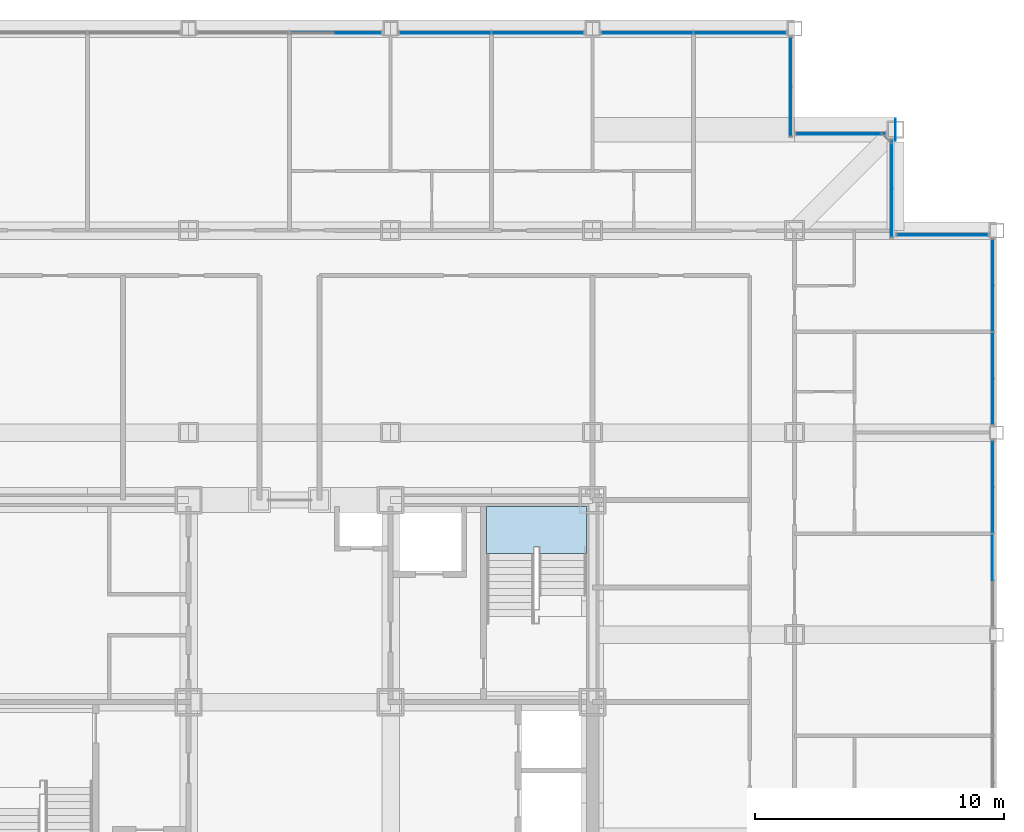
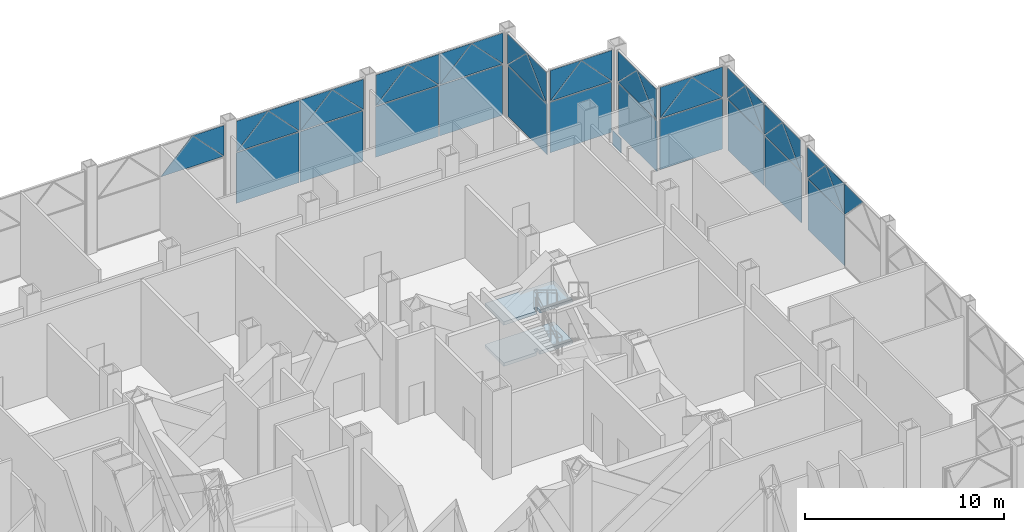
# One storey, part 16 of 29: 48 plates, 2 slabs, 10 elements without a shape of their own.
"""IFC4 building model written with IfcOpenShell, lengths in metres."""

from ifc_helpers import new_model, si_unit, direction, frame, origin, origin_2d, place, context, subcontext, project, spatial, polyline, rectangle, outline, extrude, material, layer, layer_set, type_object, element, aggregate, save


model = new_model("IFC4")

# Units and contexts
model_context = context("Model", 3, precision=1e-05, world=origin(), true_north=direction((0.0, 1.0)))
body_context = subcontext(model_context, "Body", "Model", "MODEL_VIEW")
ifc_project = project(units=[si_unit("LENGTHUNIT", "METRE"), si_unit("AREAUNIT", "SQUARE_METRE"), si_unit("VOLUMEUNIT", "CUBIC_METRE"), si_unit("PLANEANGLEUNIT", "RADIAN"), si_unit("MASSUNIT", "GRAM", prefix="KILO")], contexts=[model_context])

# Site, building, storey
site_placement = place(None, origin())
site = spatial("IfcSite", under=ifc_project, at=site_placement, CompositionType="ELEMENT")
building_placement = place(site_placement, origin())
building = spatial("IfcBuilding", under=site, at=building_placement, Name="Kopane Lantern Tower", CompositionType="ELEMENT")
storey_placement = place(building_placement, frame((0.0, 0.0, 165.0)))
storey = spatial("IfcBuildingStorey", under=building, at=storey_placement, Name="L42", CompositionType="ELEMENT", Elevation=165.0)

# Curtain wall, plates
ifc_material_1 = material(Name="Aluminium and clear glass", Category="aluminium")
curtain_wall_type = type_object("IfcCurtainWallType", Name="CURTAIN WALL CW4 RESIDENCES LOBBY", PredefinedType="USERDEFINED", material=ifc_material_1)
curtain_wall_1_placement = place(storey_placement, origin())
curtain_wall_1 = element("IfcCurtainWall", 1, at=curtain_wall_1_placement, inside=storey, type_object=curtain_wall_type, Name="Curtain wall CW4 E L42", ObjectType="CURTAIN WALL", PredefinedType="USERDEFINED")
ifc_material_2 = material(Name="Insulated clear glass unit", Category="glass")
ifc_layer_1 = layer(ifc_material_2, 0.028076171875)
ifc_layer_set_1 = layer_set([ifc_layer_1], Name="CURTAIN PANEL CW4-P 28")
plate_type_1 = type_object("IfcPlateType", Name="CURTAIN PANEL CW4-P 28", PredefinedType="CURTAIN_PANEL", material=ifc_layer_set_1)
plate_1_placement = place(storey_placement, frame((56.550048828125, 41.02001953125, 0.06005859375), z_axis=(0.0, 0.0, 1.0), x_axis=(0.0, 1.0, 0.0)))
plate_1 = element("IfcPlate", 2, at=plate_1_placement, type_object=plate_type_1, Name="CW4 panel 2.1", PredefinedType="CURTAIN_PANEL", context=body_context, shape_type="SweptSolid", body=[
    extrude(rectangle(XDim=3.679931640625, YDim=0.028076171875, at=origin_2d()), origin(), (0.0, 0.0, 1.0), 3.10009765625),
])
plate_2_placement = place(storey_placement, frame((56.52001953125, 39.1201171875, 5.1298828125), z_axis=(0.0, 0.0, 1.0), x_axis=(0.0, -1.0, 0.0)))
plate_2 = element("IfcPlate", 3, at=plate_2_placement, type_object=plate_type_1, Name="CW4 spandrel panel 1R", PredefinedType="CURTAIN_PANEL", context=body_context, shape_type="SweptSolid", body=[
    extrude(outline(polyline([(0.0, 0.0), (1.840087890625, 0.0), (1.840087890625, -0.0009765625), (0.0, -1.8681640625), (0.0, 0.0)])), frame((0.0, 0.01416015625, 0.0), z_axis=(0.0, -1.0, 0.0), x_axis=(1.0, 0.0, 0.0)), (0.0, 0.0, 1.0), 0.028076171875),
])
plate_3_placement = place(storey_placement, frame((56.550048828125, 39.179931640625, 3.219970703125), z_axis=(0.0, 0.0, 1.0), x_axis=(0.0, 1.0, 0.0)))
plate_3 = element("IfcPlate", 4, at=plate_3_placement, type_object=plate_type_1, Name="CW4 lancet panel 2", PredefinedType="CURTAIN_PANEL", context=body_context, shape_type="SweptSolid", body=[
    extrude(outline(polyline([(0.0, 0.0), (3.68017578125, 0.0), (3.679931640625, 0.0009765625), (1.840087890625, 1.913330078125), (0.0, 0.0009765625), (0.0, 0.0)])), frame((0.0, 0.01416015625, 0.0), z_axis=(0.0, -1.0, 0.0), x_axis=(1.0, 0.0, 0.0)), (0.0, 0.0, 1.0), 0.028076171875),
])
plate_4_placement = place(storey_placement, frame((56.52001953125, 39.179931640625, 5.1298828125), z_axis=(0.0, 0.0, 1.0), x_axis=(0.0, 1.0, 0.0)))
plate_4 = element("IfcPlate", 5, at=plate_4_placement, type_object=plate_type_1, Name="CW4 spandrel panel 2L", PredefinedType="CURTAIN_PANEL", context=body_context, shape_type="SweptSolid", body=[
    extrude(outline(polyline([(0.0, 0.0), (1.840087890625, 0.0), (1.840087890625, -0.0009765625), (0.0, -1.8681640625), (0.0, 0.0)])), frame((0.0, 0.01416015625, 0.0), z_axis=(0.0, -1.0, 0.0), x_axis=(1.0, 0.0, 0.0)), (0.0, 0.0, 1.0), 0.028076171875),
])
plate_5_placement = place(storey_placement, frame((56.52001953125, 42.860107421875, 5.1298828125), z_axis=(0.0, 0.0, 1.0), x_axis=(0.0, -1.0, 0.0)))
plate_5 = element("IfcPlate", 6, at=plate_5_placement, type_object=plate_type_1, Name="CW4 spandrel panel 2R", PredefinedType="CURTAIN_PANEL", context=body_context, shape_type="SweptSolid", body=[
    extrude(outline(polyline([(0.0, 0.0), (1.840087890625, 0.0), (1.840087890625, -0.0009765625), (0.0, -1.8681640625), (0.0, 0.0)])), frame((0.0, 0.01416015625, 0.0), z_axis=(0.0, -1.0, 0.0), x_axis=(1.0, 0.0, 0.0)), (0.0, 0.0, 1.0), 0.028076171875),
])
aggregate(curtain_wall_1, [plate_1, plate_2, plate_3, plate_4, plate_5])

curtain_wall_2_placement = place(storey_placement, origin())
curtain_wall_2 = element("IfcCurtainWall", 7, at=curtain_wall_2_placement, inside=storey, type_object=curtain_wall_type, Name="Curtain wall CW4 E L42", ObjectType="CURTAIN WALL", PredefinedType="USERDEFINED")
plate_6_placement = place(storey_placement, frame((56.550048828125, 45.373779296875, 0.06005859375), z_axis=(0.0, 0.0, 1.0), x_axis=(0.0, 1.0, 0.0)))
plate_6 = element("IfcPlate", 8, at=plate_6_placement, type_object=plate_type_1, Name="CW4 panel 1.1", PredefinedType="CURTAIN_PANEL", context=body_context, shape_type="SweptSolid", body=[
    extrude(rectangle(XDim=3.66748046875, YDim=0.028076171875, at=origin_2d()), origin(), (0.0, 0.0, 1.0), 3.10009765625),
])
plate_7_placement = place(storey_placement, frame((56.550048828125, 49.101318359375, 0.06005859375), z_axis=(0.0, 0.0, 1.0), x_axis=(0.0, 1.0, 0.0)))
plate_7 = element("IfcPlate", 9, at=plate_7_placement, type_object=plate_type_1, Name="CW4 panel 2.1", PredefinedType="CURTAIN_PANEL", context=body_context, shape_type="SweptSolid", body=[
    extrude(rectangle(XDim=3.66748046875, YDim=0.028076171875, at=origin_2d()), origin(), (0.0, 0.0, 1.0), 3.10009765625),
])
plate_8_placement = place(storey_placement, frame((56.550048828125, 43.5400390625, 3.219970703125), z_axis=(0.0, 0.0, 1.0), x_axis=(0.0, 1.0, 0.0)))
plate_8 = element("IfcPlate", 10, at=plate_8_placement, type_object=plate_type_1, Name="CW4 lancet panel 1", PredefinedType="CURTAIN_PANEL", context=body_context, shape_type="SweptSolid", body=[
    extrude(outline(polyline([(0.0, 0.0), (3.66748046875, 0.0), (3.66748046875, 0.0009765625), (1.833740234375, 1.913818359375), (0.0, 0.0009765625), (0.0, 0.0)])), frame((0.0, 0.01416015625, 0.0), z_axis=(0.0, -1.0, 0.0), x_axis=(1.0, 0.0, 0.0)), (0.0, 0.0, 1.0), 0.028076171875),
])
plate_9_placement = place(storey_placement, frame((56.52001953125, 43.5400390625, 5.1298828125), z_axis=(0.0, 0.0, 1.0), x_axis=(0.0, 1.0, 0.0)))
plate_9 = element("IfcPlate", 11, at=plate_9_placement, type_object=plate_type_1, Name="CW4 spandrel panel 1L", PredefinedType="CURTAIN_PANEL", context=body_context, shape_type="SweptSolid", body=[
    extrude(outline(polyline([(0.0, 0.0), (1.833740234375, 0.0), (1.833740234375, -0.0009765625), (0.0, -1.868408203125), (0.0, 0.0)])), frame((0.0, 0.01416015625, 0.0), z_axis=(0.0, -1.0, 0.0), x_axis=(1.0, 0.0, 0.0)), (0.0, 0.0, 1.0), 0.028076171875),
])
plate_10_placement = place(storey_placement, frame((56.52001953125, 47.20751953125, 5.1298828125), z_axis=(0.0, 0.0, 1.0), x_axis=(0.0, -1.0, 0.0)))
plate_10 = element("IfcPlate", 12, at=plate_10_placement, type_object=plate_type_1, Name="CW4 spandrel panel 1R", PredefinedType="CURTAIN_PANEL", context=body_context, shape_type="SweptSolid", body=[
    extrude(outline(polyline([(0.0, 0.0), (1.833740234375, 0.0), (1.833740234375, -0.0009765625), (0.0, -1.868408203125), (0.0, 0.0)])), frame((0.0, 0.01416015625, 0.0), z_axis=(0.0, -1.0, 0.0), x_axis=(1.0, 0.0, 0.0)), (0.0, 0.0, 1.0), 0.028076171875),
])
plate_11_placement = place(storey_placement, frame((56.550048828125, 47.267578125, 3.219970703125), z_axis=(0.0, 0.0, 1.0), x_axis=(0.0, 1.0, 0.0)))
plate_11 = element("IfcPlate", 13, at=plate_11_placement, type_object=plate_type_1, Name="CW4 lancet panel 2", PredefinedType="CURTAIN_PANEL", context=body_context, shape_type="SweptSolid", body=[
    extrude(outline(polyline([(0.0, 0.0), (3.66748046875, 0.0), (3.66748046875, 0.0009765625), (1.833740234375, 1.913818359375), (0.0, 0.0009765625), (0.0, 0.0)])), frame((0.0, 0.01416015625, 0.0), z_axis=(0.0, -1.0, 0.0), x_axis=(1.0, 0.0, 0.0)), (0.0, 0.0, 1.0), 0.028076171875),
])
plate_12_placement = place(storey_placement, frame((56.52001953125, 47.267578125, 5.1298828125), z_axis=(0.0, 0.0, 1.0), x_axis=(0.0, 1.0, 0.0)))
plate_12 = element("IfcPlate", 14, at=plate_12_placement, type_object=plate_type_1, Name="CW4 spandrel panel 2L", PredefinedType="CURTAIN_PANEL", context=body_context, shape_type="SweptSolid", body=[
    extrude(outline(polyline([(0.0, 0.0), (1.833740234375, 0.0), (1.833740234375, -0.0009765625), (0.0, -1.868408203125), (0.0, 0.0)])), frame((0.0, 0.01416015625, 0.0), z_axis=(0.0, -1.0, 0.0), x_axis=(1.0, 0.0, 0.0)), (0.0, 0.0, 1.0), 0.028076171875),
])
plate_13_placement = place(storey_placement, frame((56.52001953125, 50.93505859375, 5.1298828125), z_axis=(0.0, 0.0, 1.0), x_axis=(0.0, -1.0, 0.0)))
plate_13 = element("IfcPlate", 15, at=plate_13_placement, type_object=plate_type_1, Name="CW4 spandrel panel 2R", PredefinedType="CURTAIN_PANEL", context=body_context, shape_type="SweptSolid", body=[
    extrude(outline(polyline([(0.0, 0.0), (1.833740234375, 0.0), (1.833740234375, -0.0009765625), (0.0, -1.868408203125), (0.0, 0.0)])), frame((0.0, 0.01416015625, 0.0), z_axis=(0.0, -1.0, 0.0), x_axis=(1.0, 0.0, 0.0)), (0.0, 0.0, 1.0), 0.028076171875),
])
aggregate(curtain_wall_2, [plate_6, plate_7, plate_8, plate_9, plate_10, plate_11, plate_12, plate_13])

curtain_wall_3_placement = place(storey_placement, origin())
curtain_wall_3 = element("IfcCurtainWall", 16, at=curtain_wall_3_placement, inside=storey, type_object=curtain_wall_type, Name="Curtain wall CW4 N L42", ObjectType="CURTAIN WALL", PredefinedType="USERDEFINED")
plate_14_placement = place(storey_placement, frame((54.52490234375, 51.14990234375, 0.06005859375), z_axis=(0.0, 0.0, 1.0), x_axis=(-1.0, 0.0, 0.0)))
plate_14 = element("IfcPlate", 17, at=plate_14_placement, type_object=plate_type_1, Name="CW4 panel 1.1", PredefinedType="CURTAIN_PANEL", context=body_context, shape_type="SweptSolid", body=[
    extrude(rectangle(XDim=3.6298828125, YDim=0.028076171875, at=origin_2d()), origin(), (0.0, 0.0, 1.0), 3.10009765625),
])
plate_15_placement = place(storey_placement, frame((56.340087890625, 51.14990234375, 3.219970703125), z_axis=(0.0, 0.0, 1.0), x_axis=(-1.0, 0.0, 0.0)))
plate_15 = element("IfcPlate", 18, at=plate_15_placement, type_object=plate_type_1, Name="CW4 lancet panel 1", PredefinedType="CURTAIN_PANEL", context=body_context, shape_type="SweptSolid", body=[
    extrude(outline(polyline([(0.0, 0.0), (3.630126953125, 0.0), (3.6298828125, 0.0009765625), (1.81494140625, 1.914794921875), (0.0, 0.0009765625), (0.0, 0.0)])), frame((0.0, 0.01416015625, 0.0), z_axis=(0.0, -1.0, 0.0), x_axis=(1.0, 0.0, 0.0)), (0.0, 0.0, 1.0), 0.028076171875),
])
plate_16_placement = place(storey_placement, frame((56.340087890625, 51.1201171875, 5.1298828125), z_axis=(0.0, 0.0, 1.0), x_axis=(-1.0, 0.0, 0.0)))
plate_16 = element("IfcPlate", 19, at=plate_16_placement, type_object=plate_type_1, Name="CW4 spandrel panel 1L", PredefinedType="CURTAIN_PANEL", context=body_context, shape_type="SweptSolid", body=[
    extrude(outline(polyline([(0.0, 0.0), (1.815185546875, 0.0), (1.81494140625, -0.0009765625), (0.0, -1.86865234375), (0.0, 0.0)])), frame((0.0, 0.01416015625, 0.0), z_axis=(0.0, -1.0, 0.0), x_axis=(1.0, 0.0, 0.0)), (0.0, 0.0, 1.0), 0.028076171875),
])
plate_17_placement = place(storey_placement, frame((52.7099609375, 51.1201171875, 5.1298828125), z_axis=(0.0, 0.0, 1.0), x_axis=(1.0, 0.0, 0.0)))
plate_17 = element("IfcPlate", 20, at=plate_17_placement, type_object=plate_type_1, Name="CW4 spandrel panel 1R", PredefinedType="CURTAIN_PANEL", context=body_context, shape_type="SweptSolid", body=[
    extrude(outline(polyline([(0.0, 0.0), (1.81494140625, 0.0), (1.81494140625, -0.0009765625), (0.0, -1.86865234375), (0.0, 0.0)])), frame((0.0, 0.01416015625, 0.0), z_axis=(0.0, -1.0, 0.0), x_axis=(1.0, 0.0, 0.0)), (0.0, 0.0, 1.0), 0.028076171875),
])
aggregate(curtain_wall_3, [plate_14, plate_15, plate_16, plate_17])

curtain_wall_4_placement = place(storey_placement, origin())
curtain_wall_4 = element("IfcCurtainWall", 21, at=curtain_wall_4_placement, inside=storey, type_object=curtain_wall_type, Name="Curtain wall CW4 E L42", ObjectType="CURTAIN WALL", PredefinedType="USERDEFINED")
plate_18_placement = place(storey_placement, frame((52.5, 52.99755859375, 0.06005859375), z_axis=(0.0, 0.0, 1.0), x_axis=(0.0, 1.0, 0.0)))
plate_18 = element("IfcPlate", 22, at=plate_18_placement, type_object=plate_type_1, Name="CW4 panel 1.1", PredefinedType="CURTAIN_PANEL", context=body_context, shape_type="SweptSolid", body=[
    extrude(rectangle(XDim=3.875, YDim=0.028076171875, at=origin_2d()), origin(), (0.0, 0.0, 1.0), 3.10009765625),
])
plate_19_placement = place(storey_placement, frame((52.5, 51.06005859375, 3.219970703125), z_axis=(0.0, 0.0, 1.0), x_axis=(0.0, 1.0, 0.0)))
plate_19 = element("IfcPlate", 23, at=plate_19_placement, type_object=plate_type_1, Name="CW4 lancet panel 1", PredefinedType="CURTAIN_PANEL", context=body_context, shape_type="SweptSolid", body=[
    extrude(outline(polyline([(0.0, 0.0), (3.875, 0.0), (3.875, 0.0009765625), (1.9375, 1.90869140625), (0.0, 0.0009765625), (0.0, 0.0)])), frame((0.0, 0.01416015625, 0.0), z_axis=(0.0, -1.0, 0.0), x_axis=(1.0, 0.0, 0.0)), (0.0, 0.0, 1.0), 0.028076171875),
])
plate_20_placement = place(storey_placement, frame((52.469970703125, 51.06005859375, 5.1298828125), z_axis=(0.0, 0.0, 1.0), x_axis=(0.0, 1.0, 0.0)))
plate_20 = element("IfcPlate", 24, at=plate_20_placement, type_object=plate_type_1, Name="CW4 spandrel panel 1L", PredefinedType="CURTAIN_PANEL", context=body_context, shape_type="SweptSolid", body=[
    extrude(outline(polyline([(0.0, 0.0), (1.9375, 0.0), (1.9375, -0.0009765625), (0.0, -1.8671875), (0.0, 0.0)])), frame((0.0, 0.01416015625, 0.0), z_axis=(0.0, -1.0, 0.0), x_axis=(1.0, 0.0, 0.0)), (0.0, 0.0, 1.0), 0.028076171875),
])
plate_21_placement = place(storey_placement, frame((52.469970703125, 54.93505859375, 5.1298828125), z_axis=(0.0, 0.0, 1.0), x_axis=(0.0, -1.0, 0.0)))
plate_21 = element("IfcPlate", 25, at=plate_21_placement, type_object=plate_type_1, Name="CW4 spandrel panel 1R", PredefinedType="CURTAIN_PANEL", context=body_context, shape_type="SweptSolid", body=[
    extrude(outline(polyline([(0.0, 0.0), (1.9375, 0.0), (1.9375, -0.0009765625), (0.0, -1.8671875), (0.0, 0.0)])), frame((0.0, 0.01416015625, 0.0), z_axis=(0.0, -1.0, 0.0), x_axis=(1.0, 0.0, 0.0)), (0.0, 0.0, 1.0), 0.028076171875),
])
aggregate(curtain_wall_4, [plate_18, plate_19, plate_20, plate_21])

curtain_wall_5_placement = place(storey_placement, origin())
curtain_wall_5 = element("IfcCurtainWall", 26, at=curtain_wall_5_placement, inside=storey, type_object=curtain_wall_type, Name="Curtain wall CW4 N L42", ObjectType="CURTAIN WALL", PredefinedType="USERDEFINED")
plate_22_placement = place(storey_placement, frame((50.447509765625, 55.199951171875, 0.06005859375), z_axis=(0.0, 0.0, 1.0), x_axis=(-1.0, 0.0, 0.0)))
plate_22 = element("IfcPlate", 27, at=plate_22_placement, type_object=plate_type_1, Name="CW4 panel 1.1", PredefinedType="CURTAIN_PANEL", context=body_context, shape_type="SweptSolid", body=[
    extrude(rectangle(XDim=3.574951171875, YDim=0.028076171875, at=origin_2d()), origin(), (0.0, 0.0, 1.0), 3.10009765625),
])
plate_23_placement = place(storey_placement, frame((52.235107421875, 55.199951171875, 3.219970703125), z_axis=(0.0, 0.0, 1.0), x_axis=(-1.0, 0.0, 0.0)))
plate_23 = element("IfcPlate", 28, at=plate_23_placement, type_object=plate_type_1, Name="CW4 lancet panel 1", PredefinedType="CURTAIN_PANEL", context=body_context, shape_type="SweptSolid", body=[
    extrude(outline(polyline([(0.0, 0.0), (3.5751953125, 0.0), (3.574951171875, 0.0009765625), (1.78759765625, 1.916015625), (0.0, 0.0009765625), (0.0, 0.0)])), frame((0.0, 0.01416015625, 0.0), z_axis=(0.0, -1.0, 0.0), x_axis=(1.0, 0.0, 0.0)), (0.0, 0.0, 1.0), 0.028076171875),
])
plate_24_placement = place(storey_placement, frame((52.235107421875, 55.169921875, 5.1298828125), z_axis=(0.0, 0.0, 1.0), x_axis=(-1.0, 0.0, 0.0)))
plate_24 = element("IfcPlate", 29, at=plate_24_placement, type_object=plate_type_1, Name="CW4 spandrel panel 1L", PredefinedType="CURTAIN_PANEL", context=body_context, shape_type="SweptSolid", body=[
    extrude(outline(polyline([(0.0, 0.0), (1.78759765625, 0.0), (1.78759765625, -0.0009765625), (0.0, -1.868896484375), (0.0, 0.0)])), frame((0.0, 0.01416015625, 0.0), z_axis=(0.0, -1.0, 0.0), x_axis=(1.0, 0.0, 0.0)), (0.0, 0.0, 1.0), 0.028076171875),
])
plate_25_placement = place(storey_placement, frame((48.659912109375, 55.169921875, 5.1298828125), z_axis=(0.0, 0.0, 1.0), x_axis=(1.0, 0.0, 0.0)))
plate_25 = element("IfcPlate", 30, at=plate_25_placement, type_object=plate_type_1, Name="CW4 spandrel panel 1R", PredefinedType="CURTAIN_PANEL", context=body_context, shape_type="SweptSolid", body=[
    extrude(outline(polyline([(0.0, 0.0), (1.78759765625, 0.0), (1.78759765625, -0.0009765625), (0.0, -1.868896484375), (0.0, 0.0)])), frame((0.0, 0.01416015625, 0.0), z_axis=(0.0, -1.0, 0.0), x_axis=(1.0, 0.0, 0.0)), (0.0, 0.0, 1.0), 0.028076171875),
])
aggregate(curtain_wall_5, [plate_22, plate_23, plate_24, plate_25])

curtain_wall_6_placement = place(storey_placement, origin())
curtain_wall_6 = element("IfcCurtainWall", 31, at=curtain_wall_6_placement, inside=storey, type_object=curtain_wall_type, Name="Curtain wall CW4 E L42", ObjectType="CURTAIN WALL", PredefinedType="USERDEFINED")
plate_26_placement = place(storey_placement, frame((48.449951171875, 57.072509765625, 0.06005859375), z_axis=(0.0, 0.0, 1.0), x_axis=(0.0, 1.0, 0.0)))
plate_26 = element("IfcPlate", 32, at=plate_26_placement, type_object=plate_type_1, Name="CW4 panel 1.1", PredefinedType="CURTAIN_PANEL", context=body_context, shape_type="SweptSolid", body=[
    extrude(rectangle(XDim=3.925048828125, YDim=0.028076171875, at=origin_2d()), origin(), (0.0, 0.0, 1.0), 3.10009765625),
])
plate_27_placement = place(storey_placement, frame((48.449951171875, 55.110107421875, 3.219970703125), z_axis=(0.0, 0.0, 1.0), x_axis=(0.0, 1.0, 0.0)))
plate_27 = element("IfcPlate", 33, at=plate_27_placement, type_object=plate_type_1, Name="CW4 lancet panel 1", PredefinedType="CURTAIN_PANEL", context=body_context, shape_type="SweptSolid", body=[
    extrude(outline(polyline([(0.0, 0.0), (3.9248046875, 0.0), (3.925048828125, 0.0009765625), (1.96240234375, 1.90771484375), (0.0, 0.0009765625), (0.0, 0.0)])), frame((0.0, 0.01416015625, 0.0), z_axis=(0.0, -1.0, 0.0), x_axis=(1.0, 0.0, 0.0)), (0.0, 0.0, 1.0), 0.028076171875),
])
plate_28_placement = place(storey_placement, frame((48.419921875, 55.110107421875, 5.1298828125), z_axis=(0.0, 0.0, 1.0), x_axis=(0.0, 1.0, 0.0)))
plate_28 = element("IfcPlate", 34, at=plate_28_placement, type_object=plate_type_1, Name="CW4 spandrel panel 1L", PredefinedType="CURTAIN_PANEL", context=body_context, shape_type="SweptSolid", body=[
    extrude(outline(polyline([(0.0, 0.0), (1.96240234375, 0.0), (1.96240234375, -0.0009765625), (0.0, -1.866943359375), (0.0, 0.0)])), frame((0.0, 0.01416015625, 0.0), z_axis=(0.0, -1.0, 0.0), x_axis=(1.0, 0.0, 0.0)), (0.0, 0.0, 1.0), 0.028076171875),
])
plate_29_placement = place(storey_placement, frame((48.419921875, 59.034912109375, 5.1298828125), z_axis=(0.0, 0.0, 1.0), x_axis=(0.0, -1.0, 0.0)))
plate_29 = element("IfcPlate", 35, at=plate_29_placement, type_object=plate_type_1, Name="CW4 spandrel panel 1R", PredefinedType="CURTAIN_PANEL", context=body_context, shape_type="SweptSolid", body=[
    extrude(outline(polyline([(0.0, 0.0), (1.96240234375, 0.0), (1.96240234375, -0.0009765625), (0.0, -1.866943359375), (0.0, 0.0)])), frame((0.0, 0.01416015625, 0.0), z_axis=(0.0, -1.0, 0.0), x_axis=(1.0, 0.0, 0.0)), (0.0, 0.0, 1.0), 0.028076171875),
])
aggregate(curtain_wall_6, [plate_26, plate_27, plate_28, plate_29])

curtain_wall_7_placement = place(storey_placement, origin())
curtain_wall_7 = element("IfcCurtainWall", 36, at=curtain_wall_7_placement, inside=storey, type_object=curtain_wall_type, Name="Curtain wall CW4 N L42", ObjectType="CURTAIN WALL", PredefinedType="USERDEFINED")
plate_30_placement = place(storey_placement, frame((46.4111328125, 59.25, 0.06005859375), z_axis=(0.0, 0.0, 1.0), x_axis=(-1.0, 0.0, 0.0)))
plate_30 = element("IfcPlate", 37, at=plate_30_placement, type_object=plate_type_1, Name="CW4 panel 1.1", PredefinedType="CURTAIN_PANEL", context=body_context, shape_type="SweptSolid", body=[
    extrude(rectangle(XDim=3.657470703125, YDim=0.028076171875, at=origin_2d()), origin(), (0.0, 0.0, 1.0), 3.10009765625),
])
plate_31_placement = place(storey_placement, frame((42.69384765625, 59.25, 0.06005859375), z_axis=(0.0, 0.0, 1.0), x_axis=(-1.0, 0.0, 0.0)))
plate_31 = element("IfcPlate", 38, at=plate_31_placement, type_object=plate_type_1, Name="CW4 panel 2.1", PredefinedType="CURTAIN_PANEL", context=body_context, shape_type="SweptSolid", body=[
    extrude(rectangle(XDim=3.657470703125, YDim=0.028076171875, at=origin_2d()), origin(), (0.0, 0.0, 1.0), 3.10009765625),
])
plate_32_placement = place(storey_placement, frame((48.239990234375, 59.25, 3.219970703125), z_axis=(0.0, 0.0, 1.0), x_axis=(-1.0, 0.0, 0.0)))
plate_32 = element("IfcPlate", 39, at=plate_32_placement, type_object=plate_type_1, Name="CW4 lancet panel 1", PredefinedType="CURTAIN_PANEL", context=body_context, shape_type="SweptSolid", body=[
    extrude(outline(polyline([(0.0, 0.0), (3.657470703125, 0.0), (3.657470703125, 0.0009765625), (1.82861328125, 1.9140625), (0.0, 0.0009765625), (0.0, 0.0)])), frame((0.0, 0.01416015625, 0.0), z_axis=(0.0, -1.0, 0.0), x_axis=(1.0, 0.0, 0.0)), (0.0, 0.0, 1.0), 0.028076171875),
])
plate_33_placement = place(storey_placement, frame((48.239990234375, 59.219970703125, 5.1298828125), z_axis=(0.0, 0.0, 1.0), x_axis=(-1.0, 0.0, 0.0)))
plate_33 = element("IfcPlate", 40, at=plate_33_placement, type_object=plate_type_1, Name="CW4 spandrel panel 1L", PredefinedType="CURTAIN_PANEL", context=body_context, shape_type="SweptSolid", body=[
    extrude(outline(polyline([(0.0, 0.0), (1.828857421875, 0.0), (1.82861328125, -0.0009765625), (0.0, -1.868408203125), (0.0, 0.0)])), frame((0.0, 0.01416015625, 0.0), z_axis=(0.0, -1.0, 0.0), x_axis=(1.0, 0.0, 0.0)), (0.0, 0.0, 1.0), 0.028076171875),
])
plate_34_placement = place(storey_placement, frame((44.58251953125, 59.219970703125, 5.1298828125), z_axis=(0.0, 0.0, 1.0), x_axis=(1.0, 0.0, 0.0)))
plate_34 = element("IfcPlate", 41, at=plate_34_placement, type_object=plate_type_1, Name="CW4 spandrel panel 1R", PredefinedType="CURTAIN_PANEL", context=body_context, shape_type="SweptSolid", body=[
    extrude(outline(polyline([(0.0, 0.0), (1.82861328125, 0.0), (1.82861328125, -0.0009765625), (0.0, -1.868408203125), (0.0, 0.0)])), frame((0.0, 0.01416015625, 0.0), z_axis=(0.0, -1.0, 0.0), x_axis=(1.0, 0.0, 0.0)), (0.0, 0.0, 1.0), 0.028076171875),
])
plate_35_placement = place(storey_placement, frame((44.5224609375, 59.25, 3.219970703125), z_axis=(0.0, 0.0, 1.0), x_axis=(-1.0, 0.0, 0.0)))
plate_35 = element("IfcPlate", 42, at=plate_35_placement, type_object=plate_type_1, Name="CW4 lancet panel 2", PredefinedType="CURTAIN_PANEL", context=body_context, shape_type="SweptSolid", body=[
    extrude(outline(polyline([(0.0, 0.0), (3.657470703125, 0.0), (3.657470703125, 0.0009765625), (1.82861328125, 1.9140625), (0.0, 0.0009765625), (0.0, 0.0)])), frame((0.0, 0.01416015625, 0.0), z_axis=(0.0, -1.0, 0.0), x_axis=(1.0, 0.0, 0.0)), (0.0, 0.0, 1.0), 0.028076171875),
])
plate_36_placement = place(storey_placement, frame((44.5224609375, 59.219970703125, 5.1298828125), z_axis=(0.0, 0.0, 1.0), x_axis=(-1.0, 0.0, 0.0)))
plate_36 = element("IfcPlate", 43, at=plate_36_placement, type_object=plate_type_1, Name="CW4 spandrel panel 2L", PredefinedType="CURTAIN_PANEL", context=body_context, shape_type="SweptSolid", body=[
    extrude(outline(polyline([(0.0, 0.0), (1.82861328125, 0.0), (1.82861328125, -0.0009765625), (0.0, -1.868408203125), (0.0, 0.0)])), frame((0.0, 0.01416015625, 0.0), z_axis=(0.0, -1.0, 0.0), x_axis=(1.0, 0.0, 0.0)), (0.0, 0.0, 1.0), 0.028076171875),
])
plate_37_placement = place(storey_placement, frame((40.864990234375, 59.219970703125, 5.1298828125), z_axis=(0.0, 0.0, 1.0), x_axis=(1.0, 0.0, 0.0)))
plate_37 = element("IfcPlate", 44, at=plate_37_placement, type_object=plate_type_1, Name="CW4 spandrel panel 2R", PredefinedType="CURTAIN_PANEL", context=body_context, shape_type="SweptSolid", body=[
    extrude(outline(polyline([(0.0, 0.0), (1.828857421875, 0.0), (1.82861328125, -0.0009765625), (0.0, -1.868408203125), (0.0, 0.0)])), frame((0.0, 0.01416015625, 0.0), z_axis=(0.0, -1.0, 0.0), x_axis=(1.0, 0.0, 0.0)), (0.0, 0.0, 1.0), 0.028076171875),
])
aggregate(curtain_wall_7, [plate_30, plate_31, plate_32, plate_33, plate_34, plate_35, plate_36, plate_37])

curtain_wall_8_placement = place(storey_placement, origin())
curtain_wall_8 = element("IfcCurtainWall", 45, at=curtain_wall_8_placement, inside=storey, type_object=curtain_wall_type, Name="Curtain wall CW4 N L42", ObjectType="CURTAIN WALL", PredefinedType="USERDEFINED")
plate_38_placement = place(storey_placement, frame((38.3076171875, 59.25, 0.06005859375), z_axis=(0.0, 0.0, 1.0), x_axis=(-1.0, 0.0, 0.0)))
plate_38 = element("IfcPlate", 46, at=plate_38_placement, type_object=plate_type_1, Name="CW4 panel 1.1", PredefinedType="CURTAIN_PANEL", context=body_context, shape_type="SweptSolid", body=[
    extrude(rectangle(XDim=3.655029296875, YDim=0.028076171875, at=origin_2d()), origin(), (0.0, 0.0, 1.0), 3.10009765625),
])
plate_39_placement = place(storey_placement, frame((34.592529296875, 59.25, 0.06005859375), z_axis=(0.0, 0.0, 1.0), x_axis=(-1.0, 0.0, 0.0)))
plate_39 = element("IfcPlate", 47, at=plate_39_placement, type_object=plate_type_1, Name="CW4 panel 2.1", PredefinedType="CURTAIN_PANEL", context=body_context, shape_type="SweptSolid", body=[
    extrude(rectangle(XDim=3.655029296875, YDim=0.028076171875, at=origin_2d()), origin(), (0.0, 0.0, 1.0), 3.10009765625),
])
plate_40_placement = place(storey_placement, frame((40.135009765625, 59.25, 3.219970703125), z_axis=(0.0, 0.0, 1.0), x_axis=(-1.0, 0.0, 0.0)))
plate_40 = element("IfcPlate", 48, at=plate_40_placement, type_object=plate_type_1, Name="CW4 lancet panel 1", PredefinedType="CURTAIN_PANEL", context=body_context, shape_type="SweptSolid", body=[
    extrude(outline(polyline([(0.0, 0.0), (3.655029296875, 0.0), (3.655029296875, 0.0009765625), (1.827392578125, 1.9140625), (0.0, 0.0009765625), (0.0, 0.0)])), frame((0.0, 0.01416015625, 0.0), z_axis=(0.0, -1.0, 0.0), x_axis=(1.0, 0.0, 0.0)), (0.0, 0.0, 1.0), 0.028076171875),
])
plate_41_placement = place(storey_placement, frame((40.135009765625, 59.219970703125, 5.1298828125), z_axis=(0.0, 0.0, 1.0), x_axis=(-1.0, 0.0, 0.0)))
plate_41 = element("IfcPlate", 49, at=plate_41_placement, type_object=plate_type_1, Name="CW4 spandrel panel 1L", PredefinedType="CURTAIN_PANEL", context=body_context, shape_type="SweptSolid", body=[
    extrude(outline(polyline([(0.0, 0.0), (1.827392578125, 0.0), (1.827392578125, -0.0009765625), (0.0, -1.868408203125), (0.0, 0.0)])), frame((0.0, 0.01416015625, 0.0), z_axis=(0.0, -1.0, 0.0), x_axis=(1.0, 0.0, 0.0)), (0.0, 0.0, 1.0), 0.028076171875),
])
plate_42_placement = place(storey_placement, frame((36.47998046875, 59.219970703125, 5.1298828125), z_axis=(0.0, 0.0, 1.0), x_axis=(1.0, 0.0, 0.0)))
plate_42 = element("IfcPlate", 50, at=plate_42_placement, type_object=plate_type_1, Name="CW4 spandrel panel 1R", PredefinedType="CURTAIN_PANEL", context=body_context, shape_type="SweptSolid", body=[
    extrude(outline(polyline([(0.0, 0.0), (1.82763671875, 0.0), (1.827392578125, -0.0009765625), (0.0, -1.868408203125), (0.0, 0.0)])), frame((0.0, 0.01416015625, 0.0), z_axis=(0.0, -1.0, 0.0), x_axis=(1.0, 0.0, 0.0)), (0.0, 0.0, 1.0), 0.028076171875),
])
plate_43_placement = place(storey_placement, frame((36.419921875, 59.25, 3.219970703125), z_axis=(0.0, 0.0, 1.0), x_axis=(-1.0, 0.0, 0.0)))
plate_43 = element("IfcPlate", 51, at=plate_43_placement, type_object=plate_type_1, Name="CW4 lancet panel 2", PredefinedType="CURTAIN_PANEL", context=body_context, shape_type="SweptSolid", body=[
    extrude(outline(polyline([(0.0, 0.0), (3.655029296875, 0.0), (3.655029296875, 0.0009765625), (1.827392578125, 1.9140625), (0.0, 0.0009765625), (0.0, 0.0)])), frame((0.0, 0.01416015625, 0.0), z_axis=(0.0, -1.0, 0.0), x_axis=(1.0, 0.0, 0.0)), (0.0, 0.0, 1.0), 0.028076171875),
])
plate_44_placement = place(storey_placement, frame((36.419921875, 59.219970703125, 5.1298828125), z_axis=(0.0, 0.0, 1.0), x_axis=(-1.0, 0.0, 0.0)))
plate_44 = element("IfcPlate", 52, at=plate_44_placement, type_object=plate_type_1, Name="CW4 spandrel panel 2L", PredefinedType="CURTAIN_PANEL", context=body_context, shape_type="SweptSolid", body=[
    extrude(outline(polyline([(0.0, 0.0), (1.827392578125, 0.0), (1.827392578125, -0.0009765625), (0.0, -1.868408203125), (0.0, 0.0)])), frame((0.0, 0.01416015625, 0.0), z_axis=(0.0, -1.0, 0.0), x_axis=(1.0, 0.0, 0.0)), (0.0, 0.0, 1.0), 0.028076171875),
])
plate_45_placement = place(storey_placement, frame((32.764892578125, 59.219970703125, 5.1298828125), z_axis=(0.0, 0.0, 1.0), x_axis=(1.0, 0.0, 0.0)))
plate_45 = element("IfcPlate", 53, at=plate_45_placement, type_object=plate_type_1, Name="CW4 spandrel panel 2R", PredefinedType="CURTAIN_PANEL", context=body_context, shape_type="SweptSolid", body=[
    extrude(outline(polyline([(0.0, 0.0), (1.82763671875, 0.0), (1.827392578125, -0.0009765625), (0.0, -1.868408203125), (0.0, 0.0)])), frame((0.0, 0.01416015625, 0.0), z_axis=(0.0, -1.0, 0.0), x_axis=(1.0, 0.0, 0.0)), (0.0, 0.0, 1.0), 0.028076171875),
])
aggregate(curtain_wall_8, [plate_38, plate_39, plate_40, plate_41, plate_42, plate_43, plate_44, plate_45])

curtain_wall_9_placement = place(storey_placement, origin())
curtain_wall_9 = element("IfcCurtainWall", 54, at=curtain_wall_9_placement, inside=storey, type_object=curtain_wall_type, Name="Curtain wall CW4 N L42", ObjectType="CURTAIN WALL", PredefinedType="USERDEFINED")
plate_46_placement = place(storey_placement, frame((32.034912109375, 59.25, 3.219970703125), z_axis=(0.0, 0.0, 1.0), x_axis=(-1.0, 0.0, 0.0)))
plate_46 = element("IfcPlate", 55, at=plate_46_placement, type_object=plate_type_1, Name="CW4 lancet panel 1", PredefinedType="CURTAIN_PANEL", context=body_context, shape_type="SweptSolid", body=[
    extrude(outline(polyline([(0.0, 0.0), (3.655029296875, 0.0), (3.655029296875, 0.0009765625), (1.827392578125, 1.9140625), (0.0, 0.0009765625), (0.0, 0.0)])), frame((0.0, 0.01416015625, 0.0), z_axis=(0.0, -1.0, 0.0), x_axis=(1.0, 0.0, 0.0)), (0.0, 0.0, 1.0), 0.028076171875),
])
plate_47_placement = place(storey_placement, frame((32.034912109375, 59.219970703125, 5.1298828125), z_axis=(0.0, 0.0, 1.0), x_axis=(-1.0, 0.0, 0.0)))
plate_47 = element("IfcPlate", 56, at=plate_47_placement, type_object=plate_type_1, Name="CW4 spandrel panel 1L", PredefinedType="CURTAIN_PANEL", context=body_context, shape_type="SweptSolid", body=[
    extrude(outline(polyline([(0.0, 0.0), (1.827392578125, 0.0), (1.827392578125, -0.0009765625), (0.0, -1.868408203125), (0.0, 0.0)])), frame((0.0, 0.01416015625, 0.0), z_axis=(0.0, -1.0, 0.0), x_axis=(1.0, 0.0, 0.0)), (0.0, 0.0, 1.0), 0.028076171875),
])
aggregate(curtain_wall_9, [plate_46, plate_47])

# Stair, slabs
ifc_material_3 = material(Name="Steel S355JR", Category="steel")
stair_type = type_object("IfcStairType", Name="EXIT STAIR 1900 HALF TURN", PredefinedType="HALF_TURN_STAIR", material=ifc_material_3)
stair_placement = place(storey_placement, origin())
stair = element("IfcStair", 57, at=stair_placement, inside=storey, type_object=stair_type, Name="Exit stair ST2 L42", PredefinedType="HALF_TURN_STAIR")
ifc_material_4 = material(Name="Concrete C40/50", Category="concrete")
ifc_layer_2 = layer(ifc_material_4, 0.199951171875)
ifc_layer_set_2 = layer_set([ifc_layer_2], Name="STAIR LANDING 200")
slab_type = type_object("IfcSlabType", Name="STAIR LANDING 200", PredefinedType="LANDING", material=ifc_layer_set_2)
slab_1_placement = place(storey_placement, frame((0.0, 0.0, 1.487548828125)))
slab_1 = element("IfcSlab", 58, at=slab_1_placement, type_object=slab_type, Name="ST2 landing 2", PredefinedType="LANDING", context=body_context, shape_type="SweptSolid", body=[
    extrude(outline(polyline([(38.14990234375, 38.6298828125), (38.35009765625, 38.6298828125), (38.35009765625, 38.35009765625), (40.25, 38.35009765625), (40.25, 40.25), (36.25, 40.25), (36.25, 38.35009765625), (38.14990234375, 38.35009765625), (38.14990234375, 38.6298828125)])), origin(), (0.0, 0.0, 1.0), 0.199951171875),
])
slab_2_placement = place(storey_placement, frame((0.0, 0.0, 4.018798828125)))
slab_2 = element("IfcSlab", 59, at=slab_2_placement, type_object=slab_type, Name="ST2 landing 4", PredefinedType="LANDING", context=body_context, shape_type="SweptSolid", body=[
    extrude(outline(polyline([(38.14990234375, 38.6298828125), (38.35009765625, 38.6298828125), (38.35009765625, 38.35009765625), (40.25, 38.35009765625), (40.25, 40.25), (36.25, 40.25), (36.25, 38.35009765625), (38.14990234375, 38.35009765625), (38.14990234375, 38.6298828125)])), origin(), (0.0, 0.0, 1.0), 0.199951171875),
])
aggregate(stair, [slab_1, slab_2])

# Plate
ifc_material_5 = material(Name="Steel S355JR", Category="steel")
ifc_layer_3 = layer(ifc_material_5, 0.02490234375)
ifc_layer_set_3 = layer_set([ifc_layer_3], Name="STEEL END CAP PLATE PL25")
plate_type_2 = type_object("IfcPlateType", Name="STEEL END CAP PLATE PL25", PredefinedType="USERDEFINED", material=ifc_layer_set_3)
plate_48_placement = place(storey_placement, frame((52.650390625, 55.35009765625, -1.1904296875), z_axis=(0.0, 0.0, 1.0), x_axis=(1.0, 0.0, 0.0)))
element("IfcPlate", 60, at=plate_48_placement, inside=storey, type_object=plate_type_2, Name="Transfer beam end cap plate L42", ObjectType="PLATE", PredefinedType="USERDEFINED", context=body_context, shape_type="SweptSolid", body=[
    extrude(rectangle(XDim=0.02490234375, YDim=0.881103515625, at=origin_2d()), origin(), (0.0, 0.0, 1.0), 0.881103515625),
])

save(model, "model.ifc")
